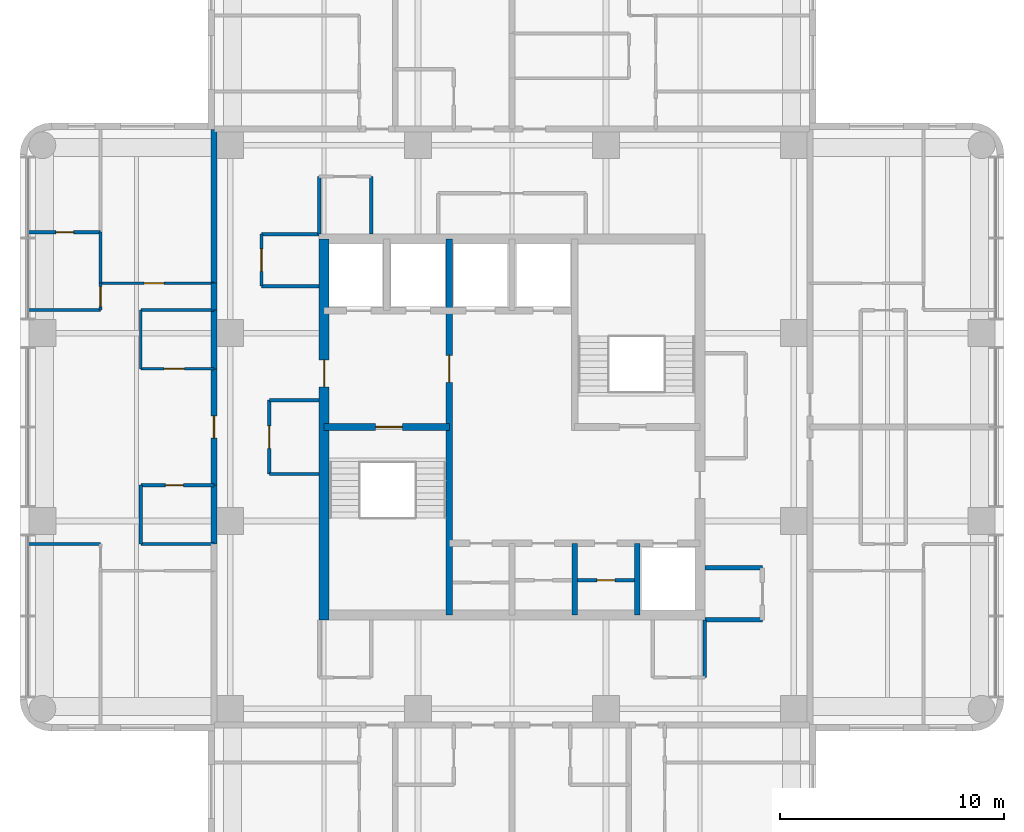
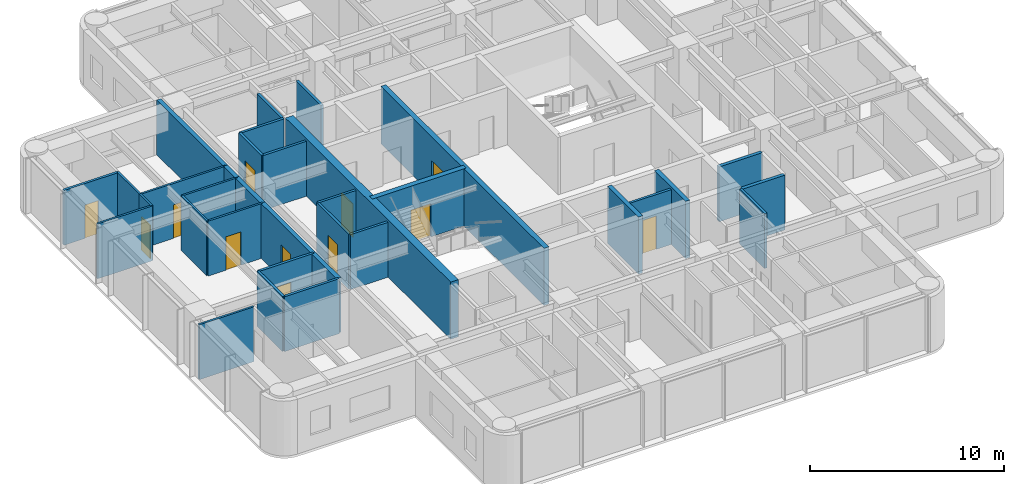
# One storey, part 5 of 10: 34 walls, 12 doors, 12 openings.
"""IFC4 building model written with IfcOpenShell, lengths in metres."""

from ifc_helpers import new_model, si_unit, direction, frame, frame_2d, origin, place, context, subcontext, project, spatial, rectangle, extrude, material, layer, layer_set, type_object, element, fill, save


model = new_model("IFC4")

# Units and contexts
model_context = context("Model", 3, precision=1e-05, world=origin(), true_north=direction((0.0, 1.0)))
body_context = subcontext(model_context, "Body", "Model", "MODEL_VIEW")
ifc_project = project(units=[si_unit("LENGTHUNIT", "METRE"), si_unit("AREAUNIT", "SQUARE_METRE"), si_unit("VOLUMEUNIT", "CUBIC_METRE"), si_unit("PLANEANGLEUNIT", "RADIAN"), si_unit("MASSUNIT", "GRAM", prefix="KILO")], contexts=[model_context])

# Site, building, storey
site_placement = place(None, origin())
site = spatial("IfcSite", under=ifc_project, at=site_placement, CompositionType="ELEMENT")
building_placement = place(site_placement, origin())
building = spatial("IfcBuilding", under=site, at=building_placement, Name="Torre Alcanfor", CompositionType="ELEMENT")
storey_placement = place(building_placement, frame((0.0, 0.0, 272.10009765625)))
storey = spatial("IfcBuildingStorey", under=building, at=storey_placement, Name="L71", CompositionType="ELEMENT", Elevation=272.10009765625)

# Wall, opening, door
ifc_material_1 = material(Name="Concrete block masonry, hollow blocks NMX-C-404 9 MPa", Category="masonry")
ifc_layer_1 = layer(ifc_material_1, 0.25)
ifc_layer_set_1 = layer_set([ifc_layer_1], Name="Apartment entrance wall 250 EI 60")
wall_type_1 = type_object("IfcWallType", Name="Apartment entrance wall 250 EI 60", PredefinedType="PARTITIONING", material=ifc_layer_set_1)
wall_1_placement = place(storey_placement, frame((16.074951171875, 26.800048828125, 0.0), z_axis=(0.0, 0.0, 1.0), x_axis=(0.0, 1.0, 0.0)))
wall_1 = element("IfcWall", 1, at=wall_1_placement, inside=storey, type_object=wall_type_1, Name="Partition L71-CORR / L71-WX-ZAG", PredefinedType="PARTITIONING", context=body_context, shape_type="SweptSolid", body=[
    extrude(rectangle(XDim=5.199951171875, YDim=0.25, at=frame_2d((2.60009765625, 0.0))), origin(), (0.0, 0.0, 1.0), 3.449951171875),
])
opening_1_placement = place(wall_1_placement, frame((2.10009765625, 0.0, 0.0)))
opening_1 = element("IfcOpeningElement", 2, at=opening_1_placement, cuts=wall_1, Name="Opening D-A1", PredefinedType="OPENING", context=body_context, shape_type="SweptSolid", body=[
    extrude(rectangle(XDim=1.0, YDim=2.10009765625, at=frame_2d((0.5, 1.050048828125))), frame((0.0, 0.135009765625, 0.0), z_axis=(0.0, -1.0, 0.0), x_axis=(1.0, 0.0, 0.0)), (0.0, 0.0, 1.0), 0.27001953125),
])
ifc_material_2 = material(Name="Galvanised steel sheet ASTM A653", Category="steel")
door_type_1 = type_object("IfcDoorType", Name="Apartment entrance door FD60 1000x2100", OperationType="SINGLE_SWING_LEFT", PredefinedType="DOOR", material=ifc_material_2)
door_1_placement = place(opening_1_placement, origin())
door_1 = element("IfcDoor", 3, at=door_1_placement, inside=storey, type_object=door_type_1, Name="Apartment entrance L71-WX", OperationType="SINGLE_SWING_LEFT", OverallHeight=2.10009765625, OverallWidth=1.0, PredefinedType="DOOR", context=body_context, shape_type="SweptSolid", body=[
    extrude(rectangle(XDim=1.0, YDim=2.10009765625, at=frame_2d((0.5, 1.050048828125))), frame((0.0, 0.02490234375, 0.0), z_axis=(0.0, -1.0, 0.0), x_axis=(1.0, 0.0, 0.0)), (0.0, 0.0, 1.0), 0.050048828125),
])
fill(opening_1, door_1)

# Walls
wall_2_placement = place(storey_placement, frame((16.074951171875, 24.1708984375, 0.0), z_axis=(0.0, 0.0, 1.0), x_axis=(0.0, 1.0, 0.0)))
element("IfcWall", 4, at=wall_2_placement, inside=storey, type_object=wall_type_1, Name="Partition L71-CORR / L71-WX-BATH2", PredefinedType="PARTITIONING", context=body_context, shape_type="SweptSolid", body=[
    extrude(rectangle(XDim=2.629150390625, YDim=0.25, at=frame_2d((1.314453125, 0.0))), origin(), (0.0, 0.0, 1.0), 3.449951171875),
])
wall_3_placement = place(storey_placement, frame((16.074951171875, 32.0, 0.0), z_axis=(0.0, 0.0, 1.0), x_axis=(0.0, 1.0, 0.0)))
element("IfcWall", 5, at=wall_3_placement, inside=storey, type_object=wall_type_1, Name="Partition L71-CORR / L71-WX-KITCHEN", PredefinedType="PARTITIONING", context=body_context, shape_type="SweptSolid", body=[
    extrude(rectangle(XDim=2.62890625, YDim=0.25, at=frame_2d((1.314453125, 0.0))), origin(), (0.0, 0.0, 1.0), 3.449951171875),
])
wall_4_placement = place(storey_placement, frame((16.074951171875, 34.62890625, 0.0), z_axis=(0.0, 0.0, 1.0), x_axis=(0.0, 1.0, 0.0)))
element("IfcWall", 6, at=wall_4_placement, inside=storey, type_object=wall_type_1, Name="Partition L71-CORR / L71-WX-LIVING", PredefinedType="PARTITIONING", context=body_context, shape_type="SweptSolid", body=[
    extrude(rectangle(XDim=1.2001953125, YDim=0.25, at=frame_2d((0.60009765625, 0.0))), origin(), (0.0, 0.0, 1.0), 3.449951171875),
])
wall_5_placement = place(storey_placement, frame((16.074951171875, 35.8291015625, 0.0), z_axis=(0.0, 0.0, 1.0), x_axis=(0.0, 1.0, 0.0)))
element("IfcWall", 7, at=wall_5_placement, inside=storey, type_object=wall_type_1, Name="Partition L71-CORR / L71-WX-BED3", PredefinedType="PARTITIONING", context=body_context, shape_type="SweptSolid", body=[
    extrude(rectangle(XDim=6.870849609375, YDim=0.25, at=frame_2d((3.435546875, 0.0))), origin(), (0.0, 0.0, 1.0), 3.449951171875),
])

# Wall, opening, door
ifc_material_3 = material(Name="Gypsum board on steel studs", Category="steel")
ifc_layer_2 = layer(ifc_material_3, 0.1201171875)
ifc_layer_set_2 = layer_set([ifc_layer_2], Name="Apartment partition 120")
wall_type_2 = type_object("IfcWallType", Name="Apartment partition 120", PredefinedType="PARTITIONING", material=ifc_layer_set_2)
wall_6_placement = place(storey_placement, frame((16.074951171875, 32.0, 0.0), z_axis=(0.0, 0.0, 1.0), x_axis=(-1.0, 0.0, 0.0)))
wall_6 = element("IfcWall", 8, at=wall_6_placement, inside=storey, type_object=wall_type_2, Name="Partition L71-WX-ZAG / L71-WX-KITCHEN", PredefinedType="PARTITIONING", context=body_context, shape_type="SweptSolid", body=[
    extrude(rectangle(XDim=3.27490234375, YDim=0.1201171875, at=frame_2d((1.637451171875, 0.0))), origin(), (0.0, 0.0, 1.0), 3.449951171875),
])
opening_2_placement = place(wall_6_placement, frame((1.324951171875, 0.0, 0.0)))
opening_2 = element("IfcOpeningElement", 9, at=opening_2_placement, cuts=wall_6, Name="Opening D-R1", PredefinedType="OPENING", context=body_context, shape_type="SweptSolid", body=[
    extrude(rectangle(XDim=0.89990234375, YDim=2.10009765625, at=frame_2d((0.449951171875, 1.050048828125))), frame((0.0, 0.070068359375, 0.0), z_axis=(0.0, -1.0, 0.0), x_axis=(1.0, 0.0, 0.0)), (0.0, 0.0, 1.0), 0.14013671875),
])
ifc_material_4 = material(Name="Timber", Category="wood")
door_type_2 = type_object("IfcDoorType", Name="Internal door 900x2100", OperationType="SINGLE_SWING_LEFT", PredefinedType="DOOR", material=ifc_material_4)
door_2_placement = place(opening_2_placement, frame((0.89990234375, 0.0, 0.0), z_axis=(0.0, 0.0, 1.0), x_axis=(-1.0, 0.0, 0.0)))
door_2 = element("IfcDoor", 10, at=door_2_placement, inside=storey, type_object=door_type_2, Name="Door L71-WX kitchen", OperationType="SINGLE_SWING_LEFT", OverallHeight=2.10009765625, OverallWidth=0.89990234375, PredefinedType="DOOR", context=body_context, shape_type="SweptSolid", body=[
    extrude(rectangle(XDim=0.89990234375, YDim=2.10009765625, at=frame_2d((0.449951171875, 1.050048828125))), frame((0.0, 0.025146484375, 0.0), z_axis=(0.0, -1.0, 0.0), x_axis=(1.0, 0.0, 0.0)), (0.0, 0.0, 1.0), 0.050048828125),
])
fill(opening_2, door_2)

# Walls
wall_7_placement = place(storey_placement, frame((16.074951171875, 34.62890625, 0.0), z_axis=(0.0, 0.0, 1.0), x_axis=(-1.0, 0.0, 0.0)))
element("IfcWall", 11, at=wall_7_placement, inside=storey, type_object=wall_type_2, Name="Partition L71-WX-KITCHEN / L71-WX-LIVING", PredefinedType="PARTITIONING", context=body_context, shape_type="SweptSolid", body=[
    extrude(rectangle(XDim=3.27490234375, YDim=0.1201171875, at=frame_2d((1.637451171875, 0.0))), origin(), (0.0, 0.0, 1.0), 3.449951171875),
])
wall_8_placement = place(storey_placement, frame((12.800048828125, 34.62890625, 0.0), z_axis=(0.0, 0.0, 1.0), x_axis=(0.0, -1.0, 0.0)))
element("IfcWall", 12, at=wall_8_placement, inside=storey, type_object=wall_type_2, Name="Partition L71-WX-KITCHEN / L71-WX-LIVING", PredefinedType="PARTITIONING", context=body_context, shape_type="SweptSolid", body=[
    extrude(rectangle(XDim=2.62890625, YDim=0.1201171875, at=frame_2d((1.314453125, 0.0))), origin(), (0.0, 0.0, 1.0), 3.449951171875),
])
wall_9_placement = place(storey_placement, frame((11.0, 24.1708984375, 0.0), z_axis=(0.0, 0.0, 1.0), x_axis=(-1.0, 0.0, 0.0)))
element("IfcWall", 13, at=wall_9_placement, inside=storey, type_object=wall_type_2, Name="Partition L71-WX-LIVING / L71-WX-MASTER", PredefinedType="PARTITIONING", context=body_context, shape_type="SweptSolid", body=[
    extrude(rectangle(XDim=3.25, YDim=0.1201171875, at=frame_2d((1.625, 0.0))), origin(), (0.0, 0.0, 1.0), 3.449951171875),
])

# Wall, opening, door
wall_10_placement = place(storey_placement, frame((11.0, 35.8291015625, 0.0), z_axis=(0.0, 0.0, 1.0), x_axis=(1.0, 0.0, 0.0)))
wall_10 = element("IfcWall", 14, at=wall_10_placement, inside=storey, type_object=wall_type_2, Name="Partition L71-WX-LIVING / L71-WX-BED3", PredefinedType="PARTITIONING", context=body_context, shape_type="SweptSolid", body=[
    extrude(rectangle(XDim=5.074951171875, YDim=0.1201171875, at=frame_2d((2.53759765625, 0.0))), origin(), (0.0, 0.0, 1.0), 3.449951171875),
])
opening_3_placement = place(wall_10_placement, frame((1.949951171875, 0.0, 0.0)))
opening_3 = element("IfcOpeningElement", 15, at=opening_3_placement, cuts=wall_10, Name="Opening D-R1", PredefinedType="OPENING", context=body_context, shape_type="SweptSolid", body=[
    extrude(rectangle(XDim=0.89990234375, YDim=2.10009765625, at=frame_2d((0.449951171875, 1.050048828125))), frame((0.0, 0.070068359375, 0.0), z_axis=(0.0, -1.0, 0.0), x_axis=(1.0, 0.0, 0.0)), (0.0, 0.0, 1.0), 0.14013671875),
])
door_3_placement = place(opening_3_placement, origin())
door_3 = element("IfcDoor", 16, at=door_3_placement, inside=storey, type_object=door_type_2, Name="Door L71-WX bed3", OperationType="SINGLE_SWING_LEFT", OverallHeight=2.10009765625, OverallWidth=0.89990234375, PredefinedType="DOOR", context=body_context, shape_type="SweptSolid", body=[
    extrude(rectangle(XDim=0.89990234375, YDim=2.10009765625, at=frame_2d((0.449951171875, 1.050048828125))), frame((0.0, 0.02490234375, 0.0), z_axis=(0.0, -1.0, 0.0), x_axis=(1.0, 0.0, 0.0)), (0.0, 0.0, 1.0), 0.050048828125),
])
fill(opening_3, door_3)

# Wall
wall_11_placement = place(storey_placement, frame((7.75, 34.62890625, 0.0), z_axis=(0.0, 0.0, 1.0), x_axis=(1.0, 0.0, 0.0)))
element("IfcWall", 17, at=wall_11_placement, inside=storey, type_object=wall_type_2, Name="Partition L71-WX-LIVING / L71-WX-BED1", PredefinedType="PARTITIONING", context=body_context, shape_type="SweptSolid", body=[
    extrude(rectangle(XDim=3.25, YDim=0.1201171875, at=frame_2d((1.625, 0.0))), origin(), (0.0, 0.0, 1.0), 3.449951171875),
])

# Wall, opening, door
wall_12_placement = place(storey_placement, frame((11.0, 34.62890625, 0.0), z_axis=(0.0, 0.0, 1.0), x_axis=(0.0, 1.0, 0.0)))
wall_12 = element("IfcWall", 18, at=wall_12_placement, inside=storey, type_object=wall_type_2, Name="Partition L71-WX-LIVING / L71-WX-BED1", PredefinedType="PARTITIONING", context=body_context, shape_type="SweptSolid", body=[
    extrude(rectangle(XDim=1.2001953125, YDim=0.1201171875, at=frame_2d((0.60009765625, 0.0))), origin(), (0.0, 0.0, 1.0), 3.449951171875),
])
opening_4_placement = place(wall_12_placement, frame((0.15087890625, 0.0, 0.0)))
opening_4 = element("IfcOpeningElement", 19, at=opening_4_placement, cuts=wall_12, Name="Opening D-R1", PredefinedType="OPENING", context=body_context, shape_type="SweptSolid", body=[
    extrude(rectangle(XDim=0.89990234375, YDim=2.10009765625, at=frame_2d((0.449951171875, 1.050048828125))), frame((0.0, 0.070068359375, 0.0), z_axis=(0.0, -1.0, 0.0), x_axis=(1.0, 0.0, 0.0)), (0.0, 0.0, 1.0), 0.14013671875),
])
door_4_placement = place(opening_4_placement, origin())
door_4 = element("IfcDoor", 20, at=door_4_placement, inside=storey, type_object=door_type_2, Name="Door L71-WX bed1", OperationType="SINGLE_SWING_LEFT", OverallHeight=2.10009765625, OverallWidth=0.89990234375, PredefinedType="DOOR", context=body_context, shape_type="SweptSolid", body=[
    extrude(rectangle(XDim=0.89990234375, YDim=2.10009765625, at=frame_2d((0.449951171875, 1.050048828125))), frame((0.0, 0.02490234375, 0.0), z_axis=(0.0, -1.0, 0.0), x_axis=(1.0, 0.0, 0.0)), (0.0, 0.0, 1.0), 0.050048828125),
])
fill(opening_4, door_4)

# Wall
wall_13_placement = place(storey_placement, frame((11.0, 38.114013671875, 0.0), z_axis=(0.0, 0.0, 1.0), x_axis=(0.0, -1.0, 0.0)))
element("IfcWall", 21, at=wall_13_placement, inside=storey, type_object=wall_type_2, Name="Partition L71-WX-BED3 / L71-WX-BED1", PredefinedType="PARTITIONING", context=body_context, shape_type="SweptSolid", body=[
    extrude(rectangle(XDim=2.284912109375, YDim=0.1201171875, at=frame_2d((1.142578125, 0.0))), origin(), (0.0, 0.0, 1.0), 3.449951171875),
])

# Wall, opening, door
ifc_material_5 = material(Name="Concrete f'c 70 MPa", Category="concrete")
ifc_layer_3 = layer(ifc_material_5, 0.300048828125)
ifc_layer_set_3 = layer_set([ifc_layer_3], Name="Core inner wall 300 f'c70")
wall_type_3 = type_object("IfcWallType", Name="Core inner wall 300 f'c70", PredefinedType="SHEAR", material=ifc_layer_set_3)
wall_14_placement = place(storey_placement, frame((26.60009765625, 21.0, 0.0), z_axis=(0.0, 0.0, 1.0), x_axis=(0.0, 1.0, 0.0)))
wall_14 = element("IfcWall", 22, at=wall_14_placement, inside=storey, type_object=wall_type_3, Name="Core wall X266 L71", PredefinedType="SHEAR", context=body_context, shape_type="SweptSolid", body=[
    extrude(rectangle(XDim=16.800048828125, YDim=0.300048828125, at=frame_2d((8.39990234375, 0.0))), origin(), (0.0, 0.0, 1.0), 3.599853515625),
])
opening_5_placement = place(wall_14_placement, frame((10.39990234375, 0.0, 0.0)))
opening_5 = element("IfcOpeningElement", 23, at=opening_5_placement, cuts=wall_14, Name="Opening D-L1", PredefinedType="OPENING", context=body_context, shape_type="SweptSolid", body=[
    extrude(rectangle(XDim=1.199951171875, YDim=2.10009765625, at=frame_2d((0.60009765625, 1.050048828125))), frame((0.0, 0.159912109375, 0.0), z_axis=(0.0, -1.0, 0.0), x_axis=(1.0, 0.0, 0.0)), (0.0, 0.0, 1.0), 0.320068359375),
])
ifc_material_6 = material(Name="Galvanised steel sheet ASTM A653", Category="steel")
door_type_3 = type_object("IfcDoorType", Name="Lobby door FD120 1200x2100", OperationType="SINGLE_SWING_LEFT", PredefinedType="DOOR", material=ifc_material_6)
door_5_placement = place(opening_5_placement, origin())
door_5 = element("IfcDoor", 24, at=door_5_placement, inside=storey, type_object=door_type_3, Name="Lift lobby door L71", OperationType="SINGLE_SWING_LEFT", OverallHeight=2.10009765625, OverallWidth=1.199951171875, PredefinedType="DOOR", context=body_context, shape_type="SweptSolid", body=[
    extrude(rectangle(XDim=1.199951171875, YDim=2.10009765625, at=frame_2d((0.60009765625, 1.050048828125))), frame((0.0, 0.02490234375, 0.0), z_axis=(0.0, -1.0, 0.0), x_axis=(1.0, 0.0, 0.0)), (0.0, 0.0, 1.0), 0.050048828125),
])
fill(opening_5, door_5)

wall_15_placement = place(storey_placement, frame((21.0, 29.39990234375, 0.0), z_axis=(0.0, 0.0, 1.0), x_axis=(1.0, 0.0, 0.0)))
wall_15 = element("IfcWall", 25, at=wall_15_placement, inside=storey, type_object=wall_type_3, Name="Core wall Y294W L71", PredefinedType="SHEAR", context=body_context, shape_type="SweptSolid", body=[
    extrude(rectangle(XDim=5.60009765625, YDim=0.300048828125, at=frame_2d((2.800048828125, 0.0))), origin(), (0.0, 0.0, 1.0), 3.599853515625),
])
opening_6_placement = place(wall_15_placement, frame((2.300048828125, 0.0, 0.0)))
opening_6 = element("IfcOpeningElement", 26, at=opening_6_placement, cuts=wall_15, Name="Opening D-S2", PredefinedType="OPENING", context=body_context, shape_type="SweptSolid", body=[
    extrude(rectangle(XDim=1.199951171875, YDim=2.10009765625, at=frame_2d((0.60009765625, 1.050048828125))), frame((0.0, 0.159912109375, 0.0), z_axis=(0.0, -1.0, 0.0), x_axis=(1.0, 0.0, 0.0)), (0.0, 0.0, 1.0), 0.320068359375),
])
ifc_material_7 = material(Name="Galvanised steel sheet ASTM A653", Category="steel")
door_type_4 = type_object("IfcDoorType", Name="Stair enclosure door FD120 1200x2100", OperationType="SINGLE_SWING_LEFT", PredefinedType="DOOR", material=ifc_material_7)
door_6_placement = place(opening_6_placement, frame((1.199951171875, 0.0, 0.0), z_axis=(0.0, 0.0, 1.0), x_axis=(-1.0, 0.0, 0.0)))
door_6 = element("IfcDoor", 27, at=door_6_placement, inside=storey, type_object=door_type_4, Name="Stair S1 door L71", OperationType="SINGLE_SWING_LEFT", OverallHeight=2.10009765625, OverallWidth=1.199951171875, PredefinedType="DOOR", context=body_context, shape_type="SweptSolid", body=[
    extrude(rectangle(XDim=1.199951171875, YDim=2.10009765625, at=frame_2d((0.599853515625, 1.050048828125))), frame((0.0, 0.025146484375, 0.0), z_axis=(0.0, -1.0, 0.0), x_axis=(1.0, 0.0, 0.0)), (0.0, 0.0, 1.0), 0.050048828125),
])
fill(opening_6, door_6)

# Walls
ifc_material_8 = material(Name="Concrete f'c 70 MPa", Category="concrete")
ifc_layer_4 = layer(ifc_material_8, 0.25)
ifc_layer_set_4 = layer_set([ifc_layer_4], Name="Core shaft wall 250 f'c70")
wall_type_4 = type_object("IfcWallType", Name="Core shaft wall 250 f'c70", PredefinedType="SHEAR", material=ifc_layer_set_4)
for number, where, z_axis, x_axis, name in (
    (28, (32.199951171875, 21.0, 0.0), (0.0, 0.0, 1.0), (0.0, 1.0, 0.0), "Core wall X322S L71"),
    (29, (35.0, 21.0, 0.0), (0.0, 0.0, 1.0), (0.0, 1.0, 0.0), "Core wall X350S L71"),
):
    element("IfcWall", number, at=place(storey_placement, frame(where, z_axis=z_axis, x_axis=x_axis)), inside=storey, type_object=wall_type_4, Name=name, PredefinedType="SHEAR", context=body_context, shape_type="SweptSolid", body=[
        extrude(rectangle(XDim=3.199951171875, YDim=0.25, at=frame_2d((1.60009765625, 0.0))), origin(), (0.0, 0.0, 1.0), 3.599853515625),
    ])

# Wall, opening, door
ifc_material_9 = material(Name="Concrete f'c 70 MPa", Category="concrete")
ifc_layer_5 = layer(ifc_material_9, 0.449951171875)
ifc_layer_set_5 = layer_set([ifc_layer_5], Name="Core wall 450 f'c70")
wall_type_5 = type_object("IfcWallType", Name="Core wall 450 f'c70", PredefinedType="SHEAR", material=ifc_layer_set_5)
wall_16_placement = place(storey_placement, frame((21.0, 37.800048828125, 0.0), z_axis=(0.0, 0.0, 1.0), x_axis=(0.0, -1.0, 0.0)))
wall_16 = element("IfcWall", 30, at=wall_16_placement, inside=storey, type_object=wall_type_5, Name="Core wall OUT-W L71", PredefinedType="SHEAR", context=body_context, shape_type="SweptSolid", body=[
    extrude(rectangle(XDim=17.025146484375, YDim=0.449951171875, at=frame_2d((8.5126953125, 0.0))), origin(), (0.0, 0.0, 1.0), 3.599853515625),
])
opening_7_placement = place(wall_16_placement, frame((5.39990234375, 0.0, 0.0)))
opening_7 = element("IfcOpeningElement", 31, at=opening_7_placement, cuts=wall_16, Name="Opening D-L1", PredefinedType="OPENING", context=body_context, shape_type="SweptSolid", body=[
    extrude(rectangle(XDim=1.199951171875, YDim=2.10009765625, at=frame_2d((0.60009765625, 1.050048828125))), frame((0.0, 0.23486328125, 0.0), z_axis=(0.0, -1.0, 0.0), x_axis=(1.0, 0.0, 0.0)), (0.0, 0.0, 1.0), 0.469970703125),
])
door_7_placement = place(opening_7_placement, origin())
door_7 = element("IfcDoor", 32, at=door_7_placement, inside=storey, type_object=door_type_3, Name="Firefighting lobby door L71", OperationType="SINGLE_SWING_RIGHT", OverallHeight=2.10009765625, OverallWidth=1.199951171875, PredefinedType="DOOR", context=body_context, shape_type="SweptSolid", body=[
    extrude(rectangle(XDim=1.199951171875, YDim=2.10009765625, at=frame_2d((0.60009765625, 1.050048828125))), frame((0.0, 0.02490234375, 0.0), z_axis=(0.0, -1.0, 0.0), x_axis=(1.0, 0.0, 0.0)), (0.0, 0.0, 1.0), 0.050048828125),
])
fill(opening_7, door_7)

# Walls
ifc_material_10 = material(Name="Concrete block masonry, hollow blocks NMX-C-404 9 MPa", Category="masonry")
ifc_layer_6 = layer(ifc_material_10, 0.199951171875)
ifc_layer_set_6 = layer_set([ifc_layer_6], Name="Plant room wall 200 EI 60")
wall_type_6 = type_object("IfcWallType", Name="Plant room wall 200 EI 60", PredefinedType="PARTITIONING", material=ifc_layer_set_6)
for number, where, z_axis, x_axis, name in (
    (33, (38.02490234375, 20.77490234375, 0.0), (0.0, 0.0, 1.0), (1.0, 0.0, 0.0), "Partition L71-CORR / L71-G03"),
    (34, (40.60009765625, 23.10009765625, 0.0), (0.0, 0.0, 1.0), (-1.0, 0.0, 0.0), "Partition L71-CORR / L71-G03"),
):
    element("IfcWall", number, at=place(storey_placement, frame(where, z_axis=z_axis, x_axis=x_axis)), inside=storey, type_object=wall_type_6, Name=name, PredefinedType="PARTITIONING", context=body_context, shape_type="SweptSolid", body=[
        extrude(rectangle(XDim=2.5751953125, YDim=0.199951171875, at=frame_2d((1.28759765625, 0.0))), origin(), (0.0, 0.0, 1.0), 3.449951171875),
    ])
ifc_material_11 = material(Name="Concrete block masonry, hollow blocks NMX-C-404 9 MPa", Category="masonry")
ifc_layer_7 = layer(ifc_material_11, 0.14990234375)
ifc_layer_set_7 = layer_set([ifc_layer_7], Name="Residents' room partition 150")
wall_type_7 = type_object("IfcWallType", Name="Residents' room partition 150", PredefinedType="PARTITIONING", material=ifc_layer_set_7)
for number, where, z_axis, x_axis, name in (
    (35, (23.10009765625, 38.02490234375, 0.0), (0.0, 0.0, 1.0), (0.0, 1.0, 0.0), "Partition L71-CORR / L71-G01"),
    (36, (20.77490234375, 40.60009765625, 0.0), (0.0, 0.0, 1.0), (0.0, -1.0, 0.0), "Partition L71-CORR / L71-G01"),
):
    element("IfcWall", number, at=place(storey_placement, frame(where, z_axis=z_axis, x_axis=x_axis)), inside=storey, type_object=wall_type_7, Name=name, PredefinedType="PARTITIONING", context=body_context, shape_type="SweptSolid", body=[
        extrude(rectangle(XDim=2.5751953125, YDim=0.14990234375, at=frame_2d((1.28759765625, 0.0))), origin(), (0.0, 0.0, 1.0), 3.449951171875),
    ])
wall_17_placement = place(storey_placement, frame((38.02490234375, 18.199951171875, 0.0), z_axis=(0.0, 0.0, 1.0), x_axis=(0.0, 1.0, 0.0)))
element("IfcWall", 37, at=wall_17_placement, inside=storey, type_object=wall_type_7, Name="Partition L71-CORR / L71-G06", PredefinedType="PARTITIONING", context=body_context, shape_type="SweptSolid", body=[
    extrude(rectangle(XDim=2.574951171875, YDim=0.14990234375, at=frame_2d((1.28759765625, 0.0))), origin(), (0.0, 0.0, 1.0), 3.449951171875),
])
wall_18_placement = place(storey_placement, frame((20.77490234375, 30.60009765625, 0.0), z_axis=(0.0, 0.0, 1.0), x_axis=(-1.0, 0.0, 0.0)))
element("IfcWall", 38, at=wall_18_placement, inside=storey, type_object=wall_type_7, Name="Partition L71-CORR / L71-G07", PredefinedType="PARTITIONING", context=body_context, shape_type="SweptSolid", body=[
    extrude(rectangle(XDim=2.224853515625, YDim=0.14990234375, at=frame_2d((1.1123046875, 0.0))), origin(), (0.0, 0.0, 1.0), 3.449951171875),
])

# Wall, opening, door
wall_19_placement = place(storey_placement, frame((18.550048828125, 30.60009765625, 0.0), z_axis=(0.0, 0.0, 1.0), x_axis=(0.0, -1.0, 0.0)))
wall_19 = element("IfcWall", 39, at=wall_19_placement, inside=storey, type_object=wall_type_7, Name="Partition L71-CORR / L71-G07", PredefinedType="PARTITIONING", context=body_context, shape_type="SweptSolid", body=[
    extrude(rectangle(XDim=3.300048828125, YDim=0.14990234375, at=frame_2d((1.64990234375, 0.0))), origin(), (0.0, 0.0, 1.0), 3.449951171875),
])
opening_8_placement = place(wall_19_placement, frame((1.14990234375, 0.0, 0.0)))
opening_8 = element("IfcOpeningElement", 40, at=opening_8_placement, cuts=wall_19, Name="Opening D-M1", PredefinedType="OPENING", context=body_context, shape_type="SweptSolid", body=[
    extrude(rectangle(XDim=1.0, YDim=2.10009765625, at=frame_2d((0.5, 1.050048828125))), frame((0.0, 0.0849609375, 0.0), z_axis=(0.0, -1.0, 0.0), x_axis=(1.0, 0.0, 0.0)), (0.0, 0.0, 1.0), 0.169921875),
])
ifc_material_12 = material(Name="Timber", Category="wood")
door_type_5 = type_object("IfcDoorType", Name="Residents' room door 1000x2100", OperationType="SINGLE_SWING_LEFT", PredefinedType="DOOR", material=ifc_material_12)
door_8_placement = place(opening_8_placement, origin())
door_8 = element("IfcDoor", 41, at=door_8_placement, inside=storey, type_object=door_type_5, Name="Door L71-G07 parcel room", OperationType="SINGLE_SWING_LEFT", OverallHeight=2.10009765625, OverallWidth=1.0, PredefinedType="DOOR", context=body_context, shape_type="SweptSolid", body=[
    extrude(rectangle(XDim=1.0, YDim=2.10009765625, at=frame_2d((0.5, 1.050048828125))), frame((0.0, 0.02490234375, 0.0), z_axis=(0.0, -1.0, 0.0), x_axis=(1.0, 0.0, 0.0)), (0.0, 0.0, 1.0), 0.050048828125),
])
fill(opening_8, door_8)

# Walls
wall_20_placement = place(storey_placement, frame((18.550048828125, 27.300048828125, 0.0), z_axis=(0.0, 0.0, 1.0), x_axis=(1.0, 0.0, 0.0)))
element("IfcWall", 42, at=wall_20_placement, inside=storey, type_object=wall_type_7, Name="Partition L71-CORR / L71-G07", PredefinedType="PARTITIONING", context=body_context, shape_type="SweptSolid", body=[
    extrude(rectangle(XDim=2.224853515625, YDim=0.14990234375, at=frame_2d((1.1123046875, 0.0))), origin(), (0.0, 0.0, 1.0), 3.449951171875),
])
wall_21_placement = place(storey_placement, frame((20.77490234375, 38.02490234375, 0.0), z_axis=(0.0, 0.0, 1.0), x_axis=(-1.0, 0.0, 0.0)))
element("IfcWall", 43, at=wall_21_placement, inside=storey, type_object=wall_type_7, Name="Partition L71-CORR / L71-G08", PredefinedType="PARTITIONING", context=body_context, shape_type="SweptSolid", body=[
    extrude(rectangle(XDim=2.574951171875, YDim=0.14990234375, at=frame_2d((1.28759765625, 0.0))), origin(), (0.0, 0.0, 1.0), 3.449951171875),
])

# Wall, opening, door
wall_22_placement = place(storey_placement, frame((18.199951171875, 38.02490234375, 0.0), z_axis=(0.0, 0.0, 1.0), x_axis=(0.0, -1.0, 0.0)))
wall_22 = element("IfcWall", 44, at=wall_22_placement, inside=storey, type_object=wall_type_7, Name="Partition L71-CORR / L71-G08", PredefinedType="PARTITIONING", context=body_context, shape_type="SweptSolid", body=[
    extrude(rectangle(XDim=2.324951171875, YDim=0.14990234375, at=frame_2d((1.16259765625, 0.0))), origin(), (0.0, 0.0, 1.0), 3.449951171875),
])
opening_9_placement = place(wall_22_placement, frame((0.66259765625, 0.0, 0.0)))
opening_9 = element("IfcOpeningElement", 45, at=opening_9_placement, cuts=wall_22, Name="Opening D-M1", PredefinedType="OPENING", context=body_context, shape_type="SweptSolid", body=[
    extrude(rectangle(XDim=1.0, YDim=2.10009765625, at=frame_2d((0.5, 1.050048828125))), frame((0.0, 0.0849609375, 0.0), z_axis=(0.0, -1.0, 0.0), x_axis=(1.0, 0.0, 0.0)), (0.0, 0.0, 1.0), 0.169921875),
])
door_9_placement = place(opening_9_placement, origin())
door_9 = element("IfcDoor", 46, at=door_9_placement, inside=storey, type_object=door_type_5, Name="Door L71-G08 parcel room", OperationType="SINGLE_SWING_LEFT", OverallHeight=2.10009765625, OverallWidth=1.0, PredefinedType="DOOR", context=body_context, shape_type="SweptSolid", body=[
    extrude(rectangle(XDim=1.0, YDim=2.10009765625, at=frame_2d((0.5, 1.050048828125))), frame((0.0, 0.02490234375, 0.0), z_axis=(0.0, -1.0, 0.0), x_axis=(1.0, 0.0, 0.0)), (0.0, 0.0, 1.0), 0.050048828125),
])
fill(opening_9, door_9)

# Wall
wall_23_placement = place(storey_placement, frame((18.199951171875, 35.699951171875, 0.0), z_axis=(0.0, 0.0, 1.0), x_axis=(1.0, 0.0, 0.0)))
element("IfcWall", 47, at=wall_23_placement, inside=storey, type_object=wall_type_7, Name="Partition L71-CORR / L71-G08", PredefinedType="PARTITIONING", context=body_context, shape_type="SweptSolid", body=[
    extrude(rectangle(XDim=2.574951171875, YDim=0.14990234375, at=frame_2d((1.28759765625, 0.0))), origin(), (0.0, 0.0, 1.0), 3.449951171875),
])

# Wall, opening, door
wall_24_placement = place(storey_placement, frame((32.324951171875, 22.550048828125, 0.0), z_axis=(0.0, 0.0, 1.0), x_axis=(1.0, 0.0, 0.0)))
wall_24 = element("IfcWall", 48, at=wall_24_placement, inside=storey, type_object=wall_type_7, Name="Partition L71-PA3R / L71-PA3C", PredefinedType="PARTITIONING", context=body_context, shape_type="SweptSolid", body=[
    extrude(rectangle(XDim=2.550048828125, YDim=0.14990234375, at=frame_2d((1.27490234375, 0.0))), origin(), (0.0, 0.0, 1.0), 3.449951171875),
])
opening_10_placement = place(wall_24_placement, frame((0.875, 0.0, 0.0)))
opening_10 = element("IfcOpeningElement", 49, at=opening_10_placement, cuts=wall_24, Name="Opening D-R2", PredefinedType="OPENING", context=body_context, shape_type="SweptSolid", body=[
    extrude(rectangle(XDim=0.800048828125, YDim=2.10009765625, at=frame_2d((0.39990234375, 1.050048828125))), frame((0.0, 0.0849609375, 0.0), z_axis=(0.0, -1.0, 0.0), x_axis=(1.0, 0.0, 0.0)), (0.0, 0.0, 1.0), 0.169921875),
])
ifc_material_13 = material(Name="Timber", Category="wood")
door_type_6 = type_object("IfcDoorType", Name="Bathroom door 800x2100", OperationType="SINGLE_SWING_LEFT", PredefinedType="DOOR", material=ifc_material_13)
door_10_placement = place(opening_10_placement, frame((0.800048828125, 0.0, 0.0), z_axis=(0.0, 0.0, 1.0), x_axis=(-1.0, 0.0, 0.0)))
door_10 = element("IfcDoor", 50, at=door_10_placement, inside=storey, type_object=door_type_6, Name="Spares cupboard door L71", OperationType="SINGLE_SWING_RIGHT", OverallHeight=2.10009765625, OverallWidth=0.800048828125, PredefinedType="DOOR", context=body_context, shape_type="SweptSolid", body=[
    extrude(rectangle(XDim=0.800048828125, YDim=2.10009765625, at=frame_2d((0.400146484375, 1.050048828125))), frame((0.0, 0.025146484375, 0.0), z_axis=(0.0, -1.0, 0.0), x_axis=(1.0, 0.0, 0.0)), (0.0, 0.0, 1.0), 0.050048828125),
])
fill(opening_10, door_10)

ifc_material_14 = material(Name="Cement board on steel studs", Category="steel")
ifc_layer_8 = layer(ifc_material_14, 0.14990234375)
ifc_layer_set_8 = layer_set([ifc_layer_8], Name="Wet area partition 150")
wall_type_8 = type_object("IfcWallType", Name="Wet area partition 150", PredefinedType="PARTITIONING", material=ifc_layer_set_8)
wall_25_placement = place(storey_placement, frame((12.800048828125, 26.800048828125, 0.0), z_axis=(0.0, 0.0, 1.0), x_axis=(1.0, 0.0, 0.0)))
wall_25 = element("IfcWall", 51, at=wall_25_placement, inside=storey, type_object=wall_type_8, Name="Partition L71-WX-ZAG / L71-WX-BATH2", PredefinedType="PARTITIONING", context=body_context, shape_type="SweptSolid", body=[
    extrude(rectangle(XDim=3.27490234375, YDim=0.14990234375, at=frame_2d((1.637451171875, 0.0))), origin(), (0.0, 0.0, 1.0), 3.449951171875),
])
opening_11_placement = place(wall_25_placement, frame((1.10009765625, 0.0, 0.0)))
opening_11 = element("IfcOpeningElement", 52, at=opening_11_placement, cuts=wall_25, Name="Opening D-R2", PredefinedType="OPENING", context=body_context, shape_type="SweptSolid", body=[
    extrude(rectangle(XDim=0.800048828125, YDim=2.10009765625, at=frame_2d((0.39990234375, 1.050048828125))), frame((0.0, 0.0849609375, 0.0), z_axis=(0.0, -1.0, 0.0), x_axis=(1.0, 0.0, 0.0)), (0.0, 0.0, 1.0), 0.169921875),
])
door_11_placement = place(opening_11_placement, frame((0.800048828125, 0.0, 0.0), z_axis=(0.0, 0.0, 1.0), x_axis=(-1.0, 0.0, 0.0)))
door_11 = element("IfcDoor", 53, at=door_11_placement, inside=storey, type_object=door_type_6, Name="Door L71-WX bath2", OperationType="SINGLE_SWING_RIGHT", OverallHeight=2.10009765625, OverallWidth=0.800048828125, PredefinedType="DOOR", context=body_context, shape_type="SweptSolid", body=[
    extrude(rectangle(XDim=0.800048828125, YDim=2.10009765625, at=frame_2d((0.400146484375, 1.050048828125))), frame((0.0, 0.025146484375, 0.0), z_axis=(0.0, -1.0, 0.0), x_axis=(1.0, 0.0, 0.0)), (0.0, 0.0, 1.0), 0.050048828125),
])
fill(opening_11, door_11)

# Walls
wall_26_placement = place(storey_placement, frame((12.800048828125, 26.800048828125, 0.0), z_axis=(0.0, 0.0, 1.0), x_axis=(0.0, -1.0, 0.0)))
element("IfcWall", 54, at=wall_26_placement, inside=storey, type_object=wall_type_8, Name="Partition L71-WX-BATH2 / L71-WX-LIVING", PredefinedType="PARTITIONING", context=body_context, shape_type="SweptSolid", body=[
    extrude(rectangle(XDim=2.629150390625, YDim=0.14990234375, at=frame_2d((1.314453125, 0.0))), origin(), (0.0, 0.0, 1.0), 3.449951171875),
])
wall_27_placement = place(storey_placement, frame((12.800048828125, 24.1708984375, 0.0), z_axis=(0.0, 0.0, 1.0), x_axis=(1.0, 0.0, 0.0)))
element("IfcWall", 55, at=wall_27_placement, inside=storey, type_object=wall_type_8, Name="Partition L71-WX-BATH2 / L71-WX-LIVING", PredefinedType="PARTITIONING", context=body_context, shape_type="SweptSolid", body=[
    extrude(rectangle(XDim=3.27490234375, YDim=0.14990234375, at=frame_2d((1.637451171875, 0.0))), origin(), (0.0, 0.0, 1.0), 3.449951171875),
])

# Wall, opening, door
wall_28_placement = place(storey_placement, frame((7.75, 38.114013671875, 0.0), z_axis=(0.0, 0.0, 1.0), x_axis=(1.0, 0.0, 0.0)))
wall_28 = element("IfcWall", 56, at=wall_28_placement, inside=storey, type_object=wall_type_8, Name="Partition L71-WX-BATH1 / L71-WX-BED1", PredefinedType="PARTITIONING", context=body_context, shape_type="SweptSolid", body=[
    extrude(rectangle(XDim=3.25, YDim=0.14990234375, at=frame_2d((1.625, 0.0))), origin(), (0.0, 0.0, 1.0), 3.449951171875),
])
opening_12_placement = place(wall_28_placement, frame((1.25, 0.0, 0.0)))
opening_12 = element("IfcOpeningElement", 57, at=opening_12_placement, cuts=wall_28, Name="Opening D-R2", PredefinedType="OPENING", context=body_context, shape_type="SweptSolid", body=[
    extrude(rectangle(XDim=0.800048828125, YDim=2.10009765625, at=frame_2d((0.39990234375, 1.050048828125))), frame((0.0, 0.0849609375, 0.0), z_axis=(0.0, -1.0, 0.0), x_axis=(1.0, 0.0, 0.0)), (0.0, 0.0, 1.0), 0.169921875),
])
door_12_placement = place(opening_12_placement, frame((0.800048828125, 0.0, 0.0), z_axis=(0.0, 0.0, 1.0), x_axis=(-1.0, 0.0, 0.0)))
door_12 = element("IfcDoor", 58, at=door_12_placement, inside=storey, type_object=door_type_6, Name="Door L71-WX bath1", OperationType="SINGLE_SWING_LEFT", OverallHeight=2.10009765625, OverallWidth=0.800048828125, PredefinedType="DOOR", context=body_context, shape_type="SweptSolid", body=[
    extrude(rectangle(XDim=0.800048828125, YDim=2.10009765625, at=frame_2d((0.400146484375, 1.050048828125))), frame((0.0, 0.025146484375, 0.0), z_axis=(0.0, -1.0, 0.0), x_axis=(1.0, 0.0, 0.0)), (0.0, 0.0, 1.0), 0.050048828125),
])
fill(opening_12, door_12)

save(model, "model.ifc")
